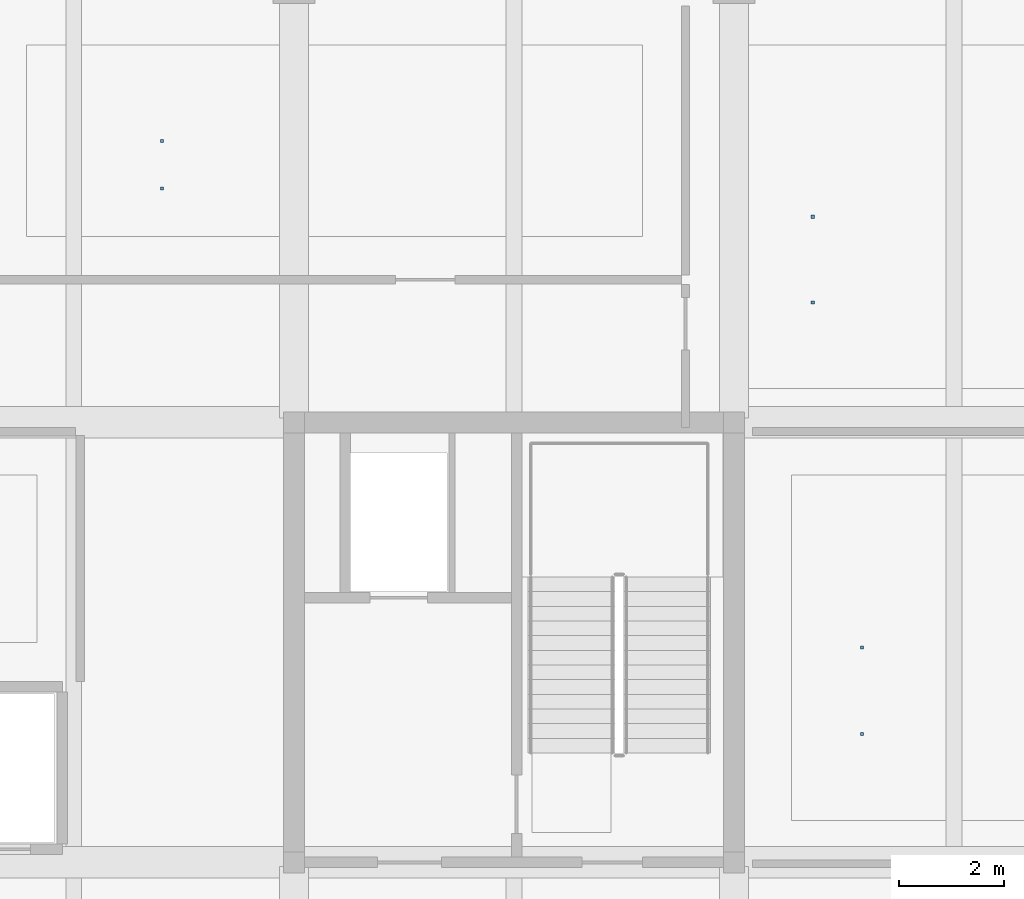
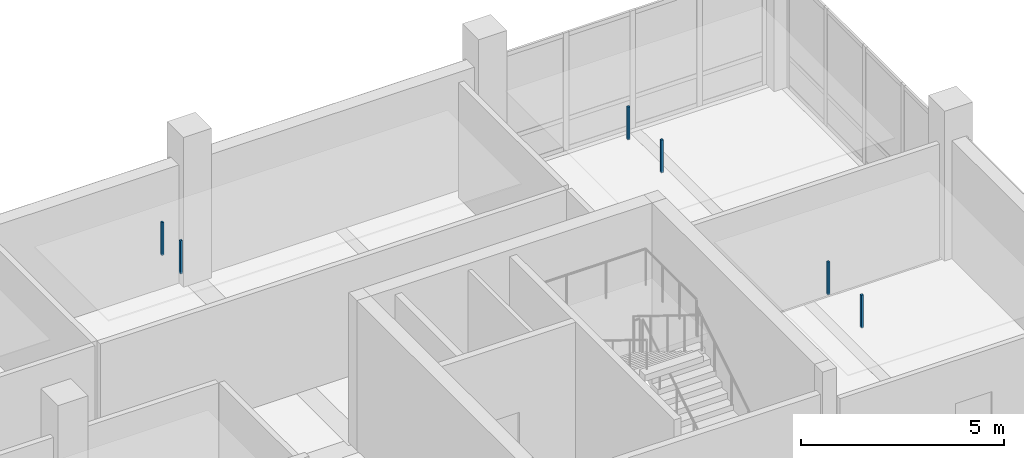
# One storey, part 19 of 35: 6 discrete accessories.
"""IFC4 building model written with IfcOpenShell, lengths in metres."""

from ifc_helpers import new_model, si_unit, direction, frame, origin, origin_2d, place, context, subcontext, project, spatial, rectangle, extrude, material, type_object, element, save


model = new_model("IFC4")

# Units and contexts
model_context = context("Model", 3, precision=1e-05, world=origin(), true_north=direction((0.0, 1.0)))
body_context = subcontext(model_context, "Body", "Model", "MODEL_VIEW")
ifc_project = project(units=[si_unit("LENGTHUNIT", "METRE"), si_unit("AREAUNIT", "SQUARE_METRE"), si_unit("VOLUMEUNIT", "CUBIC_METRE"), si_unit("PLANEANGLEUNIT", "RADIAN"), si_unit("MASSUNIT", "GRAM", prefix="KILO")], contexts=[model_context])

# Site, building, storey
site_placement = place(None, origin())
site = spatial("IfcSite", under=ifc_project, at=site_placement, CompositionType="ELEMENT")
building_placement = place(site_placement, origin())
building = spatial("IfcBuilding", under=site, at=building_placement, Name="Telukmera Botanical Conservatory", CompositionType="ELEMENT")
storey_placement = place(building_placement, frame((0.0, 0.0, 28.5)))
storey = spatial("IfcBuildingStorey", under=building, at=storey_placement, Name="L06", CompositionType="ELEMENT", Elevation=28.5)

# Discrete accessories
ifc_material = material(Name="Steel S355", Category="steel")
discrete_accessory_type = type_object("IfcDiscreteAccessoryType", Name="ACC-CEIL-HGR", PredefinedType="BRACKET", material=ifc_material)
for number, where, z_axis, x_axis, name in (
    (1, (103.241943359375, 28.449951171875, 3.31982421875), (0.0, 0.0, 1.0), (1.0, 0.0, 0.0), "L06 Suspended Ceiling Hanger Rod 019-1"),
    (2, (103.241943359375, 30.10009765625, 3.31982421875), (0.0, 0.0, 1.0), (1.0, 0.0, 0.0), "L06 Suspended Ceiling Hanger Rod 019-2"),
):
    element("IfcDiscreteAccessory", number, at=place(storey_placement, frame(where, z_axis=z_axis, x_axis=x_axis)), inside=storey, type_object=discrete_accessory_type, Name=name, PredefinedType="BRACKET", context=body_context, shape_type="SweptSolid", body=[
        extrude(rectangle(XDim=0.06005859375, YDim=0.06005859375, at=origin_2d()), origin(), (0.0, 0.0, 1.0), 0.985107421875),
    ])
for number, where, z_axis, x_axis, name in (
    (3, (89.885009765625, 38.862548828125, 3.31005859375), (0.0, 0.0, 1.0), (1.0, 0.0, 0.0), "L06 Suspended Ceiling Hanger Rod 038-1"),
    (4, (89.885009765625, 39.77490234375, 3.31005859375), (0.0, 0.0, 1.0), (1.0, 0.0, 0.0), "L06 Suspended Ceiling Hanger Rod 038-2"),
):
    element("IfcDiscreteAccessory", number, at=place(storey_placement, frame(where, z_axis=z_axis, x_axis=x_axis)), inside=storey, type_object=discrete_accessory_type, Name=name, PredefinedType="BRACKET", context=body_context, shape_type="SweptSolid", body=[
        extrude(rectangle(XDim=0.06005859375, YDim=0.06005859375, at=origin_2d()), origin(), (0.0, 0.0, 1.0), 0.9951171875),
    ])
for number, where, z_axis, x_axis, name in (
    (5, (102.305908203125, 36.6875, 3.31982421875), (0.0, 0.0, 1.0), (1.0, 0.0, 0.0), "L06 Suspended Ceiling Hanger Rod 039-1"),
    (6, (102.305908203125, 38.324951171875, 3.31982421875), (0.0, 0.0, 1.0), (1.0, 0.0, 0.0), "L06 Suspended Ceiling Hanger Rod 039-2"),
):
    element("IfcDiscreteAccessory", number, at=place(storey_placement, frame(where, z_axis=z_axis, x_axis=x_axis)), inside=storey, type_object=discrete_accessory_type, Name=name, PredefinedType="BRACKET", context=body_context, shape_type="SweptSolid", body=[
        extrude(rectangle(XDim=0.06005859375, YDim=0.06005859375, at=origin_2d()), origin(), (0.0, 0.0, 1.0), 0.985107421875),
    ])

save(model, "model.ifc")
